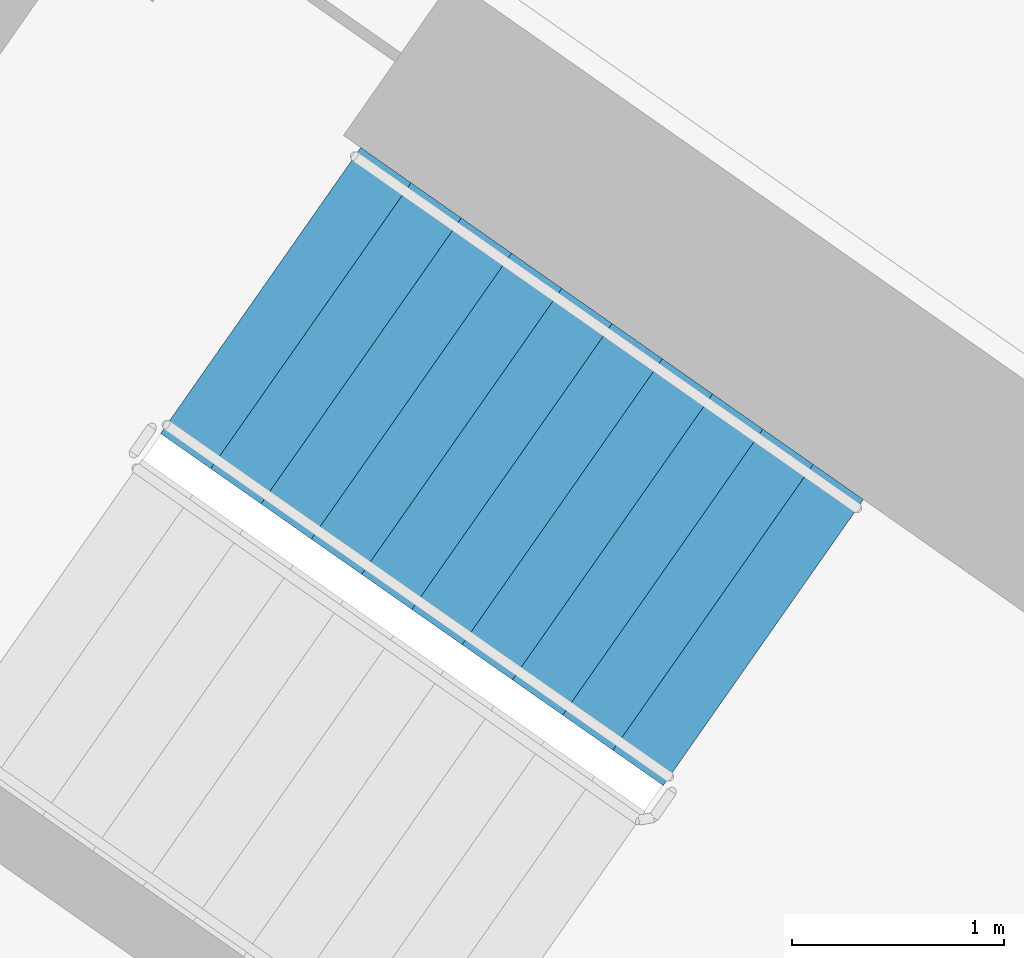
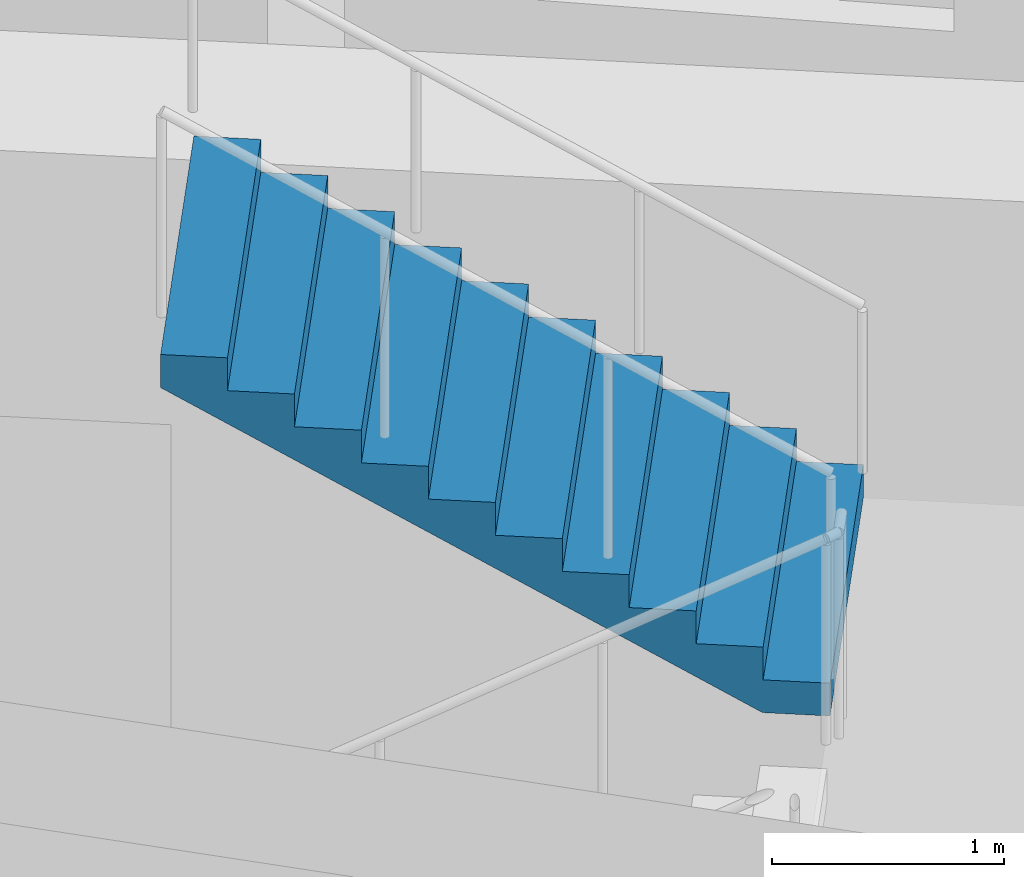
# One storey, part 13 of 31: 1 stair flight, 1 element without a shape of its own.
"""IFC4 building model written with IfcOpenShell, lengths in metres."""

from ifc_helpers import new_model, si_unit, direction, frame, origin, place, context, subcontext, project, spatial, faceted_brep, material, type_object, element, aggregate, save


model = new_model("IFC4")

# Units and contexts
model_context = context("Model", 3, precision=1e-05, world=origin(), true_north=direction((0.0, 1.0)))
body_context = subcontext(model_context, "Body", "Model", "MODEL_VIEW")
ifc_project = project(units=[si_unit("LENGTHUNIT", "METRE"), si_unit("AREAUNIT", "SQUARE_METRE"), si_unit("VOLUMEUNIT", "CUBIC_METRE"), si_unit("PLANEANGLEUNIT", "RADIAN"), si_unit("MASSUNIT", "GRAM", prefix="KILO")], contexts=[model_context])

# Site, building, storey
site_placement = place(None, origin())
site = spatial("IfcSite", under=ifc_project, at=site_placement, CompositionType="ELEMENT")
building_placement = place(site_placement, origin())
building = spatial("IfcBuilding", under=site, at=building_placement, Name="Qamariyya Broadcast Tower", CompositionType="ELEMENT")
storey_placement = place(building_placement, frame((0.0, 0.0, 51.89990234375)))
storey = spatial("IfcBuildingStorey", under=building, at=storey_placement, Name="L09", CompositionType="ELEMENT", Elevation=51.89990234375)

# Stair, stair flight
ifc_material = material(Name="Concrete C50/60", Category="concrete")
stair_type = type_object("IfcStairType", Name="Exit stair 22 risers of 173 mm", PredefinedType="HALF_TURN_STAIR", material=ifc_material)
stair_placement = place(storey_placement, origin())
stair = element("IfcStair", 1, at=stair_placement, inside=storey, type_object=stair_type, Name="L09 Stair W2", PredefinedType="HALF_TURN_STAIR")
stair_flight_type = type_object("IfcStairFlightType", Name="Exit stair flight 11 risers of 173 mm", PredefinedType="STRAIGHT", material=ifc_material)
stair_flight_placement = place(storey_placement, frame((-38.18310546875, -49.3486328125, 1.900146484375), z_axis=(0.0, 0.0, 1.0), x_axis=(-0.819152044289, 0.573576436351, 0.0)))
stair_flight = element("IfcStairFlight", 2, at=stair_flight_placement, type_object=stair_flight_type, Name="ST-W2 flight 2", NumberOfRisers=11, NumberOfTreads=10, PredefinedType="STRAIGHT", RiserHeight=0.172727273, TreadLength=0.29, context=body_context, shape_type="Brep", body=[
    faceted_brep([(0.0, 0.824951171875, 0.0), (0.0, 0.824951171875, 0.172607421875), (0.2900390625, 0.824951171875, 0.172607421875), (0.2900390625, 0.824951171875, 0.345458984375), (0.580078125, 0.824951171875, 0.345458984375), (0.580078125, 0.824951171875, 0.51806640625), (0.8701171875, 0.824951171875, 0.51806640625), (0.8701171875, 0.824951171875, 0.69091796875), (1.159912109375, 0.824951171875, 0.69091796875), (1.159912109375, 0.824951171875, 0.863525390625), (1.449951171875, 0.824951171875, 0.863525390625), (1.449951171875, 0.824951171875, 1.036376953125), (1.739990234375, 0.824951171875, 1.036376953125), (1.739990234375, 0.824951171875, 1.208984375), (2.030029296875, 0.824951171875, 1.208984375), (2.030029296875, 0.824951171875, 1.3818359375), (2.320068359375, 0.824951171875, 1.3818359375), (2.320068359375, 0.824951171875, 1.554443359375), (2.610107421875, 0.824951171875, 1.554443359375), (2.610107421875, 0.824951171875, 1.727294921875), (2.89990234375, 0.824951171875, 1.727294921875), (2.89990234375, 0.824951171875, 1.552734375), (0.29296875, 0.824951171875, 0.0), (0.29296875, -0.824951171875, 0.0), (2.89990234375, -0.824951171875, 1.552734375), (2.89990234375, -0.824951171875, 1.727294921875), (2.610107421875, -0.824951171875, 1.727294921875), (2.610107421875, -0.824951171875, 1.554443359375), (2.320068359375, -0.824951171875, 1.554443359375), (2.320068359375, -0.824951171875, 1.3818359375), (2.030029296875, -0.824951171875, 1.3818359375), (2.030029296875, -0.824951171875, 1.208984375), (1.739990234375, -0.824951171875, 1.208984375), (1.739990234375, -0.824951171875, 1.036376953125), (1.449951171875, -0.824951171875, 1.036376953125), (1.449951171875, -0.824951171875, 0.863525390625), (1.159912109375, -0.824951171875, 0.863525390625), (1.159912109375, -0.824951171875, 0.69091796875), (0.8701171875, -0.824951171875, 0.69091796875), (0.8701171875, -0.824951171875, 0.51806640625), (0.580078125, -0.824951171875, 0.51806640625), (0.580078125, -0.824951171875, 0.345458984375), (0.2900390625, -0.824951171875, 0.345458984375), (0.2900390625, -0.824951171875, 0.172607421875), (0.0, -0.824951171875, 0.172607421875), (0.0, -0.824951171875, 0.0), (0.0, 0.10009765625, 0.0), (0.0, 0.086669921875, 0.0), (0.0, 0.0732421875, 0.0), (0.0, 0.06005859375, 0.0), (0.0, 0.046630859375, 0.0), (0.0, 0.033447265625, 0.0), (0.0, 0.02001953125, 0.0), (0.0, 0.006591796875, 0.0), (0.0, -0.006591796875, 0.0), (0.0, -0.02001953125, 0.0), (0.0, -0.033447265625, 0.0), (0.0, -0.046630859375, 0.0), (0.0, -0.06005859375, 0.0), (0.0, -0.0732421875, 0.0), (0.0, -0.086669921875, 0.0), (0.0, -0.10009765625, 0.0), (0.0, -0.10009765625, 0.172607421875), (0.0, -0.086669921875, 0.172607421875), (0.0, -0.0732421875, 0.172607421875), (0.0, -0.06005859375, 0.172607421875), (0.0, -0.046630859375, 0.172607421875), (0.0, -0.033447265625, 0.172607421875), (0.0, -0.02001953125, 0.172607421875), (0.0, -0.006591796875, 0.172607421875), (0.0, 0.006591796875, 0.172607421875), (0.0, 0.02001953125, 0.172607421875), (0.0, 0.033447265625, 0.172607421875), (0.0, 0.046630859375, 0.172607421875), (0.0, 0.06005859375, 0.172607421875), (0.0, 0.0732421875, 0.172607421875), (0.0, 0.086669921875, 0.172607421875), (0.0, 0.10009765625, 0.172607421875), (0.2900390625, -0.10009765625, 0.172607421875), (0.2900390625, -0.086669921875, 0.172607421875), (0.2900390625, -0.0732421875, 0.172607421875), (0.2900390625, -0.06005859375, 0.172607421875), (0.2900390625, -0.046630859375, 0.172607421875), (0.2900390625, -0.033447265625, 0.172607421875), (0.2900390625, -0.02001953125, 0.172607421875), (0.2900390625, -0.006591796875, 0.172607421875), (0.2900390625, 0.006591796875, 0.172607421875), (0.2900390625, 0.02001953125, 0.172607421875), (0.2900390625, 0.033447265625, 0.172607421875), (0.2900390625, 0.046630859375, 0.172607421875), (0.2900390625, 0.06005859375, 0.172607421875), (0.2900390625, 0.0732421875, 0.172607421875), (0.2900390625, 0.086669921875, 0.172607421875), (0.2900390625, 0.10009765625, 0.172607421875), (0.2900390625, -0.10009765625, 0.345458984375), (0.2900390625, -0.086669921875, 0.345458984375), (0.2900390625, -0.0732421875, 0.345458984375), (0.2900390625, -0.06005859375, 0.345458984375), (0.2900390625, -0.046630859375, 0.345458984375), (0.2900390625, -0.033447265625, 0.345458984375), (0.2900390625, -0.02001953125, 0.345458984375), (0.2900390625, -0.006591796875, 0.345458984375), (0.2900390625, 0.006591796875, 0.345458984375), (0.2900390625, 0.02001953125, 0.345458984375), (0.2900390625, 0.033447265625, 0.345458984375), (0.2900390625, 0.046630859375, 0.345458984375), (0.2900390625, 0.06005859375, 0.345458984375), (0.2900390625, 0.0732421875, 0.345458984375), (0.2900390625, 0.086669921875, 0.345458984375), (0.2900390625, 0.10009765625, 0.345458984375), (0.580078125, -0.10009765625, 0.345458984375), (0.580078125, -0.086669921875, 0.345458984375), (0.580078125, -0.0732421875, 0.345458984375), (0.580078125, -0.06005859375, 0.345458984375), (0.580078125, -0.046630859375, 0.345458984375), (0.580078125, -0.033447265625, 0.345458984375), (0.580078125, -0.02001953125, 0.345458984375), (0.580078125, -0.006591796875, 0.345458984375), (0.580078125, 0.006591796875, 0.345458984375), (0.580078125, 0.02001953125, 0.345458984375), (0.580078125, 0.033447265625, 0.345458984375), (0.580078125, 0.046630859375, 0.345458984375), (0.580078125, 0.06005859375, 0.345458984375), (0.580078125, 0.0732421875, 0.345458984375), (0.580078125, 0.086669921875, 0.345458984375), (0.580078125, 0.10009765625, 0.345458984375), (0.580078125, -0.10009765625, 0.51806640625), (0.580078125, -0.086669921875, 0.51806640625), (0.580078125, -0.0732421875, 0.51806640625), (0.580078125, -0.06005859375, 0.51806640625), (0.580078125, -0.046630859375, 0.51806640625), (0.580078125, -0.033447265625, 0.51806640625), (0.580078125, -0.02001953125, 0.51806640625), (0.580078125, -0.006591796875, 0.51806640625), (0.580078125, 0.006591796875, 0.51806640625), (0.580078125, 0.02001953125, 0.51806640625), (0.580078125, 0.033447265625, 0.51806640625), (0.580078125, 0.046630859375, 0.51806640625), (0.580078125, 0.06005859375, 0.51806640625), (0.580078125, 0.0732421875, 0.51806640625), (0.580078125, 0.086669921875, 0.51806640625), (0.580078125, 0.10009765625, 0.51806640625), (0.8701171875, -0.10009765625, 0.51806640625), (0.8701171875, -0.086669921875, 0.51806640625), (0.8701171875, -0.0732421875, 0.51806640625), (0.8701171875, -0.06005859375, 0.51806640625), (0.8701171875, -0.046630859375, 0.51806640625), (0.8701171875, -0.033447265625, 0.51806640625), (0.8701171875, -0.02001953125, 0.51806640625), (0.8701171875, -0.006591796875, 0.51806640625), (0.8701171875, 0.006591796875, 0.51806640625), (0.8701171875, 0.02001953125, 0.51806640625), (0.8701171875, 0.033447265625, 0.51806640625), (0.8701171875, 0.046630859375, 0.51806640625), (0.8701171875, 0.06005859375, 0.51806640625), (0.8701171875, 0.0732421875, 0.51806640625), (0.8701171875, 0.086669921875, 0.51806640625), (0.8701171875, 0.10009765625, 0.51806640625), (0.8701171875, -0.10009765625, 0.69091796875), (0.8701171875, -0.086669921875, 0.69091796875), (0.8701171875, -0.0732421875, 0.69091796875), (0.8701171875, -0.06005859375, 0.69091796875), (0.8701171875, -0.046630859375, 0.69091796875), (0.8701171875, -0.033447265625, 0.69091796875), (0.8701171875, -0.02001953125, 0.69091796875), (0.8701171875, -0.006591796875, 0.69091796875), (0.8701171875, 0.006591796875, 0.69091796875), (0.8701171875, 0.02001953125, 0.69091796875), (0.8701171875, 0.033447265625, 0.69091796875), (0.8701171875, 0.046630859375, 0.69091796875), (0.8701171875, 0.06005859375, 0.69091796875), (0.8701171875, 0.0732421875, 0.69091796875), (0.8701171875, 0.086669921875, 0.69091796875), (0.8701171875, 0.10009765625, 0.69091796875), (1.159912109375, -0.10009765625, 0.69091796875), (1.159912109375, -0.086669921875, 0.69091796875), (1.159912109375, -0.0732421875, 0.69091796875), (1.159912109375, -0.06005859375, 0.69091796875), (1.159912109375, -0.046630859375, 0.69091796875), (1.159912109375, -0.033447265625, 0.69091796875), (1.159912109375, -0.02001953125, 0.69091796875), (1.159912109375, -0.006591796875, 0.69091796875), (1.159912109375, 0.006591796875, 0.69091796875), (1.159912109375, 0.02001953125, 0.69091796875), (1.159912109375, 0.033447265625, 0.69091796875), (1.159912109375, 0.046630859375, 0.69091796875), (1.159912109375, 0.06005859375, 0.69091796875), (1.159912109375, 0.0732421875, 0.69091796875), (1.159912109375, 0.086669921875, 0.69091796875), (1.159912109375, 0.10009765625, 0.69091796875), (1.159912109375, -0.10009765625, 0.863525390625), (1.159912109375, -0.086669921875, 0.863525390625), (1.159912109375, -0.0732421875, 0.863525390625), (1.159912109375, -0.06005859375, 0.863525390625), (1.159912109375, -0.046630859375, 0.863525390625), (1.159912109375, -0.033447265625, 0.863525390625), (1.159912109375, -0.02001953125, 0.863525390625), (1.159912109375, -0.006591796875, 0.863525390625), (1.159912109375, 0.006591796875, 0.863525390625), (1.159912109375, 0.02001953125, 0.863525390625), (1.159912109375, 0.033447265625, 0.863525390625), (1.159912109375, 0.046630859375, 0.863525390625), (1.159912109375, 0.06005859375, 0.863525390625), (1.159912109375, 0.0732421875, 0.863525390625), (1.159912109375, 0.086669921875, 0.863525390625), (1.159912109375, 0.10009765625, 0.863525390625), (1.449951171875, -0.10009765625, 0.863525390625), (1.449951171875, -0.086669921875, 0.863525390625), (1.449951171875, -0.0732421875, 0.863525390625), (1.449951171875, -0.06005859375, 0.863525390625), (1.449951171875, -0.046630859375, 0.863525390625), (1.449951171875, -0.033447265625, 0.863525390625), (1.449951171875, -0.02001953125, 0.863525390625), (1.449951171875, -0.006591796875, 0.863525390625), (1.449951171875, 0.006591796875, 0.863525390625), (1.449951171875, 0.02001953125, 0.863525390625), (1.449951171875, 0.033447265625, 0.863525390625), (1.449951171875, 0.046630859375, 0.863525390625), (1.449951171875, 0.06005859375, 0.863525390625), (1.449951171875, 0.0732421875, 0.863525390625), (1.449951171875, 0.086669921875, 0.863525390625), (1.449951171875, 0.10009765625, 0.863525390625), (1.449951171875, -0.10009765625, 1.036376953125), (1.449951171875, -0.086669921875, 1.036376953125), (1.449951171875, -0.0732421875, 1.036376953125), (1.449951171875, -0.06005859375, 1.036376953125), (1.449951171875, -0.046630859375, 1.036376953125), (1.449951171875, -0.033447265625, 1.036376953125), (1.449951171875, -0.02001953125, 1.036376953125), (1.449951171875, -0.006591796875, 1.036376953125), (1.449951171875, 0.006591796875, 1.036376953125), (1.449951171875, 0.02001953125, 1.036376953125), (1.449951171875, 0.033447265625, 1.036376953125), (1.449951171875, 0.046630859375, 1.036376953125), (1.449951171875, 0.06005859375, 1.036376953125), (1.449951171875, 0.0732421875, 1.036376953125), (1.449951171875, 0.086669921875, 1.036376953125), (1.449951171875, 0.10009765625, 1.036376953125), (1.739990234375, -0.10009765625, 1.036376953125), (1.739990234375, -0.086669921875, 1.036376953125), (1.739990234375, -0.0732421875, 1.036376953125), (1.739990234375, -0.06005859375, 1.036376953125), (1.739990234375, -0.046630859375, 1.036376953125), (1.739990234375, -0.033447265625, 1.036376953125), (1.739990234375, -0.02001953125, 1.036376953125), (1.739990234375, -0.006591796875, 1.036376953125), (1.739990234375, 0.006591796875, 1.036376953125), (1.739990234375, 0.02001953125, 1.036376953125), (1.739990234375, 0.033447265625, 1.036376953125), (1.739990234375, 0.046630859375, 1.036376953125), (1.739990234375, 0.06005859375, 1.036376953125), (1.739990234375, 0.0732421875, 1.036376953125), (1.739990234375, 0.086669921875, 1.036376953125), (1.739990234375, 0.10009765625, 1.036376953125), (1.739990234375, -0.10009765625, 1.208984375), (1.739990234375, -0.086669921875, 1.208984375), (1.739990234375, -0.0732421875, 1.208984375), (1.739990234375, -0.06005859375, 1.208984375), (1.739990234375, -0.046630859375, 1.208984375), (1.739990234375, -0.033447265625, 1.208984375), (1.739990234375, -0.02001953125, 1.208984375), (1.739990234375, -0.006591796875, 1.208984375), (1.739990234375, 0.006591796875, 1.208984375), (1.739990234375, 0.02001953125, 1.208984375), (1.739990234375, 0.033447265625, 1.208984375), (1.739990234375, 0.046630859375, 1.208984375), (1.739990234375, 0.06005859375, 1.208984375), (1.739990234375, 0.0732421875, 1.208984375), (1.739990234375, 0.086669921875, 1.208984375), (1.739990234375, 0.10009765625, 1.208984375), (2.030029296875, -0.10009765625, 1.208984375), (2.030029296875, -0.086669921875, 1.208984375), (2.030029296875, -0.0732421875, 1.208984375), (2.030029296875, -0.06005859375, 1.208984375), (2.030029296875, -0.046630859375, 1.208984375), (2.030029296875, -0.033447265625, 1.208984375), (2.030029296875, -0.02001953125, 1.208984375), (2.030029296875, -0.006591796875, 1.208984375), (2.030029296875, 0.006591796875, 1.208984375), (2.030029296875, 0.02001953125, 1.208984375), (2.030029296875, 0.033447265625, 1.208984375), (2.030029296875, 0.046630859375, 1.208984375), (2.030029296875, 0.06005859375, 1.208984375), (2.030029296875, 0.0732421875, 1.208984375), (2.030029296875, 0.086669921875, 1.208984375), (2.030029296875, 0.10009765625, 1.208984375), (2.030029296875, -0.10009765625, 1.3818359375), (2.030029296875, -0.086669921875, 1.3818359375), (2.030029296875, -0.0732421875, 1.3818359375), (2.030029296875, -0.06005859375, 1.3818359375), (2.030029296875, -0.046630859375, 1.3818359375), (2.030029296875, -0.033447265625, 1.3818359375), (2.030029296875, -0.02001953125, 1.3818359375), (2.030029296875, -0.006591796875, 1.3818359375), (2.030029296875, 0.006591796875, 1.3818359375), (2.030029296875, 0.02001953125, 1.3818359375), (2.030029296875, 0.033447265625, 1.3818359375), (2.030029296875, 0.046630859375, 1.3818359375), (2.030029296875, 0.06005859375, 1.3818359375), (2.030029296875, 0.0732421875, 1.3818359375), (2.030029296875, 0.086669921875, 1.3818359375), (2.030029296875, 0.10009765625, 1.3818359375), (2.320068359375, -0.10009765625, 1.3818359375), (2.320068359375, -0.086669921875, 1.3818359375), (2.320068359375, -0.0732421875, 1.3818359375), (2.320068359375, -0.06005859375, 1.3818359375), (2.320068359375, -0.046630859375, 1.3818359375), (2.320068359375, -0.033447265625, 1.3818359375), (2.320068359375, -0.02001953125, 1.3818359375), (2.320068359375, -0.006591796875, 1.3818359375), (2.320068359375, 0.006591796875, 1.3818359375), (2.320068359375, 0.02001953125, 1.3818359375), (2.320068359375, 0.033447265625, 1.3818359375), (2.320068359375, 0.046630859375, 1.3818359375), (2.320068359375, 0.06005859375, 1.3818359375), (2.320068359375, 0.0732421875, 1.3818359375), (2.320068359375, 0.086669921875, 1.3818359375), (2.320068359375, 0.10009765625, 1.3818359375), (2.320068359375, -0.10009765625, 1.554443359375), (2.320068359375, -0.086669921875, 1.554443359375), (2.320068359375, -0.0732421875, 1.554443359375), (2.320068359375, -0.06005859375, 1.554443359375), (2.320068359375, -0.046630859375, 1.554443359375), (2.320068359375, -0.033447265625, 1.554443359375), (2.320068359375, -0.02001953125, 1.554443359375), (2.320068359375, -0.006591796875, 1.554443359375), (2.320068359375, 0.006591796875, 1.554443359375), (2.320068359375, 0.02001953125, 1.554443359375), (2.320068359375, 0.033447265625, 1.554443359375), (2.320068359375, 0.046630859375, 1.554443359375), (2.320068359375, 0.06005859375, 1.554443359375), (2.320068359375, 0.0732421875, 1.554443359375), (2.320068359375, 0.086669921875, 1.554443359375), (2.320068359375, 0.10009765625, 1.554443359375), (2.610107421875, -0.10009765625, 1.554443359375), (2.610107421875, -0.086669921875, 1.554443359375), (2.610107421875, -0.0732421875, 1.554443359375), (2.610107421875, -0.06005859375, 1.554443359375), (2.610107421875, -0.046630859375, 1.554443359375), (2.610107421875, -0.033447265625, 1.554443359375), (2.610107421875, -0.02001953125, 1.554443359375), (2.610107421875, -0.006591796875, 1.554443359375), (2.610107421875, 0.006591796875, 1.554443359375), (2.610107421875, 0.02001953125, 1.554443359375), (2.610107421875, 0.033447265625, 1.554443359375), (2.610107421875, 0.046630859375, 1.554443359375), (2.610107421875, 0.06005859375, 1.554443359375), (2.610107421875, 0.0732421875, 1.554443359375), (2.610107421875, 0.086669921875, 1.554443359375), (2.610107421875, 0.10009765625, 1.554443359375), (2.610107421875, -0.10009765625, 1.727294921875), (2.610107421875, -0.086669921875, 1.727294921875), (2.610107421875, -0.0732421875, 1.727294921875), (2.610107421875, -0.06005859375, 1.727294921875), (2.610107421875, -0.046630859375, 1.727294921875), (2.610107421875, -0.033447265625, 1.727294921875), (2.610107421875, -0.02001953125, 1.727294921875), (2.610107421875, -0.006591796875, 1.727294921875), (2.610107421875, 0.006591796875, 1.727294921875), (2.610107421875, 0.02001953125, 1.727294921875), (2.610107421875, 0.033447265625, 1.727294921875), (2.610107421875, 0.046630859375, 1.727294921875), (2.610107421875, 0.06005859375, 1.727294921875), (2.610107421875, 0.0732421875, 1.727294921875), (2.610107421875, 0.086669921875, 1.727294921875), (2.610107421875, 0.10009765625, 1.727294921875), (2.89990234375, -0.10009765625, 1.727294921875), (2.89990234375, -0.086669921875, 1.727294921875), (2.89990234375, -0.0732421875, 1.727294921875), (2.89990234375, -0.06005859375, 1.727294921875), (2.89990234375, -0.046630859375, 1.727294921875), (2.89990234375, -0.033447265625, 1.727294921875), (2.89990234375, -0.02001953125, 1.727294921875), (2.89990234375, -0.006591796875, 1.727294921875), (2.89990234375, 0.006591796875, 1.727294921875), (2.89990234375, 0.02001953125, 1.727294921875), (2.89990234375, 0.033447265625, 1.727294921875), (2.89990234375, 0.046630859375, 1.727294921875), (2.89990234375, 0.06005859375, 1.727294921875), (2.89990234375, 0.0732421875, 1.727294921875), (2.89990234375, 0.086669921875, 1.727294921875), (2.89990234375, 0.10009765625, 1.727294921875), (2.89990234375, -0.10009765625, 1.552734375), (2.89990234375, -0.086669921875, 1.552734375), (2.89990234375, -0.0732421875, 1.552734375), (2.89990234375, -0.06005859375, 1.552734375), (2.89990234375, -0.046630859375, 1.552734375), (2.89990234375, -0.033447265625, 1.552734375), (2.89990234375, -0.02001953125, 1.552734375), (2.89990234375, -0.006591796875, 1.552734375), (2.89990234375, 0.006591796875, 1.552734375), (2.89990234375, 0.02001953125, 1.552734375), (2.89990234375, 0.033447265625, 1.552734375), (2.89990234375, 0.046630859375, 1.552734375), (2.89990234375, 0.06005859375, 1.552734375), (2.89990234375, 0.0732421875, 1.552734375), (2.89990234375, 0.086669921875, 1.552734375), (2.89990234375, 0.10009765625, 1.552734375), (0.29296875, -0.10009765625, 0.0), (0.29296875, -0.086669921875, 0.0), (0.29296875, -0.0732421875, 0.0), (0.29296875, -0.06005859375, 0.0), (0.29296875, -0.046630859375, 0.0), (0.29296875, -0.033447265625, 0.0), (0.29296875, -0.02001953125, 0.0), (0.29296875, -0.006591796875, 0.0), (0.29296875, 0.006591796875, 0.0), (0.29296875, 0.02001953125, 0.0), (0.29296875, 0.033447265625, 0.0), (0.29296875, 0.046630859375, 0.0), (0.29296875, 0.06005859375, 0.0), (0.29296875, 0.0732421875, 0.0), (0.29296875, 0.086669921875, 0.0), (0.29296875, 0.10009765625, 0.0)], [[[0, 1, 2, 3, 4, 5, 6, 7, 8, 9, 10, 11, 12, 13, 14, 15, 16, 17, 18, 19, 20, 21, 22]], [[23, 24, 25, 26, 27, 28, 29, 30, 31, 32, 33, 34, 35, 36, 37, 38, 39, 40, 41, 42, 43, 44, 45]], [[0, 46, 47, 48, 49, 50, 51, 52, 53, 54, 55, 56, 57, 58, 59, 60, 61, 45, 44, 62, 63, 64, 65, 66, 67, 68, 69, 70, 71, 72, 73, 74, 75, 76, 77, 1]], [[1, 77, 76, 75, 74, 73, 72, 71, 70, 69, 68, 67, 66, 65, 64, 63, 62, 44, 43, 78, 79, 80, 81, 82, 83, 84, 85, 86, 87, 88, 89, 90, 91, 92, 93, 2]], [[2, 93, 92, 91, 90, 89, 88, 87, 86, 85, 84, 83, 82, 81, 80, 79, 78, 43, 42, 94, 95, 96, 97, 98, 99, 100, 101, 102, 103, 104, 105, 106, 107, 108, 109, 3]], [[3, 109, 108, 107, 106, 105, 104, 103, 102, 101, 100, 99, 98, 97, 96, 95, 94, 42, 41, 110, 111, 112, 113, 114, 115, 116, 117, 118, 119, 120, 121, 122, 123, 124, 125, 4]], [[4, 125, 124, 123, 122, 121, 120, 119, 118, 117, 116, 115, 114, 113, 112, 111, 110, 41, 40, 126, 127, 128, 129, 130, 131, 132, 133, 134, 135, 136, 137, 138, 139, 140, 141, 5]], [[5, 141, 140, 139, 138, 137, 136, 135, 134, 133, 132, 131, 130, 129, 128, 127, 126, 40, 39, 142, 143, 144, 145, 146, 147, 148, 149, 150, 151, 152, 153, 154, 155, 156, 157, 6]], [[6, 157, 156, 155, 154, 153, 152, 151, 150, 149, 148, 147, 146, 145, 144, 143, 142, 39, 38, 158, 159, 160, 161, 162, 163, 164, 165, 166, 167, 168, 169, 170, 171, 172, 173, 7]], [[7, 173, 172, 171, 170, 169, 168, 167, 166, 165, 164, 163, 162, 161, 160, 159, 158, 38, 37, 174, 175, 176, 177, 178, 179, 180, 181, 182, 183, 184, 185, 186, 187, 188, 189, 8]], [[8, 189, 188, 187, 186, 185, 184, 183, 182, 181, 180, 179, 178, 177, 176, 175, 174, 37, 36, 190, 191, 192, 193, 194, 195, 196, 197, 198, 199, 200, 201, 202, 203, 204, 205, 9]], [[9, 205, 204, 203, 202, 201, 200, 199, 198, 197, 196, 195, 194, 193, 192, 191, 190, 36, 35, 206, 207, 208, 209, 210, 211, 212, 213, 214, 215, 216, 217, 218, 219, 220, 221, 10]], [[10, 221, 220, 219, 218, 217, 216, 215, 214, 213, 212, 211, 210, 209, 208, 207, 206, 35, 34, 222, 223, 224, 225, 226, 227, 228, 229, 230, 231, 232, 233, 234, 235, 236, 237, 11]], [[11, 237, 236, 235, 234, 233, 232, 231, 230, 229, 228, 227, 226, 225, 224, 223, 222, 34, 33, 238, 239, 240, 241, 242, 243, 244, 245, 246, 247, 248, 249, 250, 251, 252, 253, 12]], [[12, 253, 252, 251, 250, 249, 248, 247, 246, 245, 244, 243, 242, 241, 240, 239, 238, 33, 32, 254, 255, 256, 257, 258, 259, 260, 261, 262, 263, 264, 265, 266, 267, 268, 269, 13]], [[13, 269, 268, 267, 266, 265, 264, 263, 262, 261, 260, 259, 258, 257, 256, 255, 254, 32, 31, 270, 271, 272, 273, 274, 275, 276, 277, 278, 279, 280, 281, 282, 283, 284, 285, 14]], [[14, 285, 284, 283, 282, 281, 280, 279, 278, 277, 276, 275, 274, 273, 272, 271, 270, 31, 30, 286, 287, 288, 289, 290, 291, 292, 293, 294, 295, 296, 297, 298, 299, 300, 301, 15]], [[15, 301, 300, 299, 298, 297, 296, 295, 294, 293, 292, 291, 290, 289, 288, 287, 286, 30, 29, 302, 303, 304, 305, 306, 307, 308, 309, 310, 311, 312, 313, 314, 315, 316, 317, 16]], [[16, 317, 316, 315, 314, 313, 312, 311, 310, 309, 308, 307, 306, 305, 304, 303, 302, 29, 28, 318, 319, 320, 321, 322, 323, 324, 325, 326, 327, 328, 329, 330, 331, 332, 333, 17]], [[17, 333, 332, 331, 330, 329, 328, 327, 326, 325, 324, 323, 322, 321, 320, 319, 318, 28, 27, 334, 335, 336, 337, 338, 339, 340, 341, 342, 343, 344, 345, 346, 347, 348, 349, 18]], [[18, 349, 348, 347, 346, 345, 344, 343, 342, 341, 340, 339, 338, 337, 336, 335, 334, 27, 26, 350, 351, 352, 353, 354, 355, 356, 357, 358, 359, 360, 361, 362, 363, 364, 365, 19]], [[19, 365, 364, 363, 362, 361, 360, 359, 358, 357, 356, 355, 354, 353, 352, 351, 350, 26, 25, 366, 367, 368, 369, 370, 371, 372, 373, 374, 375, 376, 377, 378, 379, 380, 381, 20]], [[20, 381, 380, 379, 378, 377, 376, 375, 374, 373, 372, 371, 370, 369, 368, 367, 366, 25, 24, 382, 383, 384, 385, 386, 387, 388, 389, 390, 391, 392, 393, 394, 395, 396, 397, 21]], [[21, 397, 396, 395, 394, 393, 392, 391, 390, 389, 388, 387, 386, 385, 384, 383, 382, 24, 23, 398, 399, 400, 401, 402, 403, 404, 405, 406, 407, 408, 409, 410, 411, 412, 413, 22]], [[22, 413, 412, 411, 410, 409, 408, 407, 406, 405, 404, 403, 402, 401, 400, 399, 398, 23, 45, 61, 60, 59, 58, 57, 56, 55, 54, 53, 52, 51, 50, 49, 48, 47, 46, 0]]]),
])
aggregate(stair, [stair_flight])

save(model, "model.ifc")
